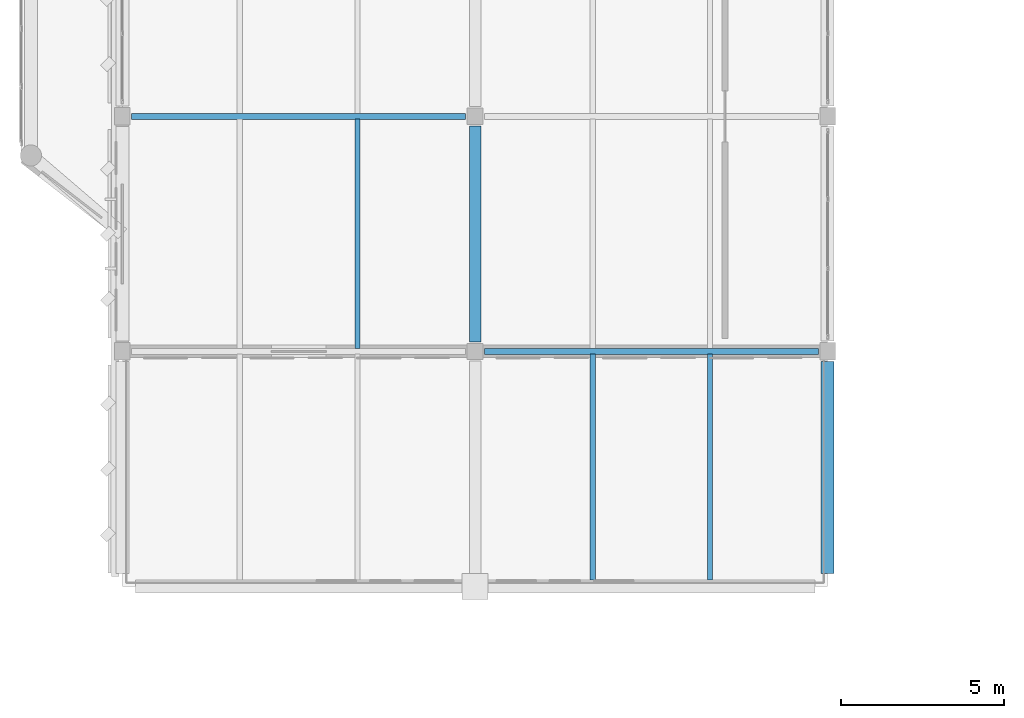
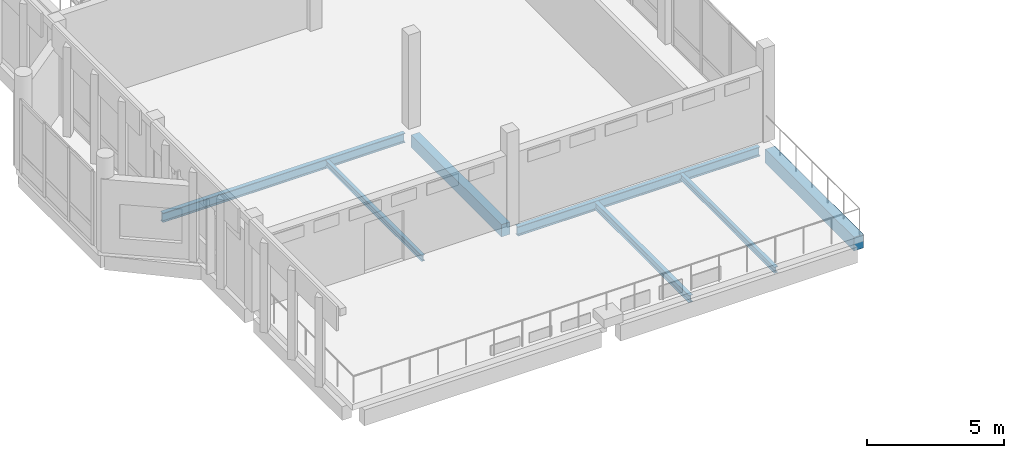
# One storey, part 5 of 72: 7 beams.
"""IFC4 building model written with IfcOpenShell, lengths in metres."""

from ifc_helpers import new_model, si_unit, direction, frame, origin, origin_2d, place, context, subcontext, project, spatial, rectangle, i_section, extrude, material, material_profile, profile_set, type_object, element, save


model = new_model("IFC4")

# Units and contexts
model_context = context("Model", 3, precision=1e-05, world=origin(), true_north=direction((0.0, 1.0)))
body_context = subcontext(model_context, "Body", "Model", "MODEL_VIEW")
ifc_project = project(units=[si_unit("LENGTHUNIT", "METRE"), si_unit("AREAUNIT", "SQUARE_METRE"), si_unit("VOLUMEUNIT", "CUBIC_METRE"), si_unit("PLANEANGLEUNIT", "RADIAN"), si_unit("MASSUNIT", "GRAM", prefix="KILO")], contexts=[model_context])

# Site, building, storey
site_placement = place(None, origin())
site = spatial("IfcSite", under=ifc_project, at=site_placement, CompositionType="ELEMENT")
building_placement = place(site_placement, origin())
building = spatial("IfcBuilding", under=site, at=building_placement, Name="Lusvemor Sports Hall", CompositionType="ELEMENT")
storey_placement = place(building_placement, frame((0.0, 0.0, 15.0)))
storey = spatial("IfcBuildingStorey", under=building, at=storey_placement, Name="L03", CompositionType="ELEMENT", Elevation=15.0)

# Beams
ifc_material_1 = material(Name="Concrete C40/50", Category="concrete")
ifc_material_profile_1 = material_profile(ifc_material_1, rectangle(XDim=0.35009765625, YDim=0.550048828125, at=origin_2d()), Name="RC350x550")
ifc_profile_set_1 = profile_set([ifc_material_profile_1], Name="Concrete C40/50")
beam_type_1 = type_object("IfcBeamType", Name="BEAM_RC_550", PredefinedType="BEAM", material=ifc_profile_set_1)
beam_1_placement = place(storey_placement, frame((10.800048828125, 54.2958984375, -0.514892578125), z_axis=(0.0, 1.0, 0.0), x_axis=(-1.0, 0.0, 0.0)))
element("IfcBeam", 1, at=beam_1_placement, inside=storey, type_object=beam_type_1, Name="Beam L03 2:G-H", PredefinedType="BEAM", context=body_context, shape_type="SweptSolid", body=[
    extrude(rectangle(XDim=0.35009765625, YDim=0.550048828125, at=origin_2d()), origin(), (0.0, 0.0, 1.0), 6.608154296875),
])
ifc_material_2 = material(Name="Steel S355", Category="steel")
ifc_material_profile_2 = material_profile(ifc_material_2, i_section(OverallWidth=0.180908203125, OverallDepth=0.4169921875, WebThickness=0.010986328125, FlangeThickness=0.018310546875, FilletRadius=0.01611328125, at=origin_2d()), Name="W410x85.0")
ifc_profile_set_2 = profile_set([ifc_material_profile_2], Name="Steel S355")
beam_type_2 = type_object("IfcBeamType", Name="BEAM_ST_410H", PredefinedType="BEAM", material=ifc_profile_set_2)
for number, where, z_axis, x_axis, name in (
    (2, (11.095947265625, 54.0, -0.482421875), (1.0, 0.0, 0.0), (0.0, 1.0, 0.0), "Beam L03 G:2-3"),
    (3, (0.27587890625, 61.199951171875, -0.452392578125), (1.0, 0.0, 0.0), (0.0, 1.0, 0.0), "Beam L03 H:1-2"),
):
    element("IfcBeam", number, at=place(storey_placement, frame(where, z_axis=z_axis, x_axis=x_axis)), inside=storey, type_object=beam_type_2, Name=name, PredefinedType="BEAM", context=body_context, shape_type="SweptSolid", body=[
        extrude(i_section(OverallWidth=0.180908203125, OverallDepth=0.4169921875, WebThickness=0.010986328125, FlangeThickness=0.018310546875, FilletRadius=0.01611328125, at=origin_2d()), origin(), (0.0, 0.0, 1.0), 10.22802734375),
    ])
ifc_material_3 = material(Name="Steel S355", Category="steel")
ifc_material_profile_3 = material_profile(ifc_material_3, i_section(OverallWidth=0.14794921875, OverallDepth=0.26611328125, WebThickness=0.007568359375, FlangeThickness=0.012939453125, FilletRadius=0.012939453125, at=origin_2d()), Name="W250x44.8")
ifc_profile_set_3 = profile_set([ifc_material_profile_3], Name="Steel S355")
beam_type_3 = type_object("IfcBeamType", Name="JOIST_ST_250M", PredefinedType="JOIST", material=ifc_profile_set_3)
beam_2_placement = place(storey_placement, frame((7.199951171875, 54.08642578125, -0.406982421875), z_axis=(0.0, 1.0, 0.0), x_axis=(-1.0, 0.0, 0.0)))
element("IfcBeam", 4, at=beam_2_placement, inside=storey, type_object=beam_type_3, Name="Secondary Joist L03 1-2/G-H #2", PredefinedType="JOIST", context=body_context, shape_type="SweptSolid", body=[
    extrude(i_section(OverallWidth=0.14794921875, OverallDepth=0.26611328125, WebThickness=0.007568359375, FlangeThickness=0.012939453125, FilletRadius=0.012939453125, at=origin_2d()), origin(), (0.0, 0.0, 1.0), 7.027099609375),
])
beam_3_placement = place(storey_placement, frame((18.0, 46.99609375, -0.406982421875), z_axis=(0.0, 1.0, 0.0), x_axis=(-1.0, 0.0, 0.0)))
element("IfcBeam", 5, at=beam_3_placement, inside=storey, type_object=beam_type_3, Name="Secondary Joist L03 2-3/F-G #2", PredefinedType="JOIST", context=body_context, shape_type="SweptSolid", body=[
    extrude(i_section(OverallWidth=0.14794921875, OverallDepth=0.26611328125, WebThickness=0.007568359375, FlangeThickness=0.012939453125, FilletRadius=0.012939453125, at=origin_2d()), origin(), (0.0, 0.0, 1.0), 6.91748046875),
])
ifc_material_4 = material(Name="Steel S355", Category="steel")
ifc_material_profile_4 = material_profile(ifc_material_4, i_section(OverallWidth=0.1669921875, OverallDepth=0.31689453125, WebThickness=0.007568359375, FlangeThickness=0.01318359375, FilletRadius=0.014892578125, at=origin_2d()), Name="W310x52.0")
ifc_profile_set_4 = profile_set([ifc_material_profile_4], Name="Steel S355")
beam_type_4 = type_object("IfcBeamType", Name="JOIST_ST_310M", PredefinedType="JOIST", material=ifc_profile_set_4)
beam_4_placement = place(storey_placement, frame((14.39990234375, 46.99609375, -0.4326171875), z_axis=(0.0, 1.0, 0.0), x_axis=(-1.0, 0.0, 0.0)))
element("IfcBeam", 6, at=beam_4_placement, inside=storey, type_object=beam_type_4, Name="Secondary Joist L03 2-3/F-G #1", PredefinedType="JOIST", context=body_context, shape_type="SweptSolid", body=[
    extrude(i_section(OverallWidth=0.1669921875, OverallDepth=0.31689453125, WebThickness=0.007568359375, FlangeThickness=0.01318359375, FilletRadius=0.014892578125, at=origin_2d()), origin(), (0.0, 0.0, 1.0), 6.91748046875),
])
ifc_material_5 = material(Name="Concrete C40/50", Category="concrete")
ifc_material_profile_5 = material_profile(ifc_material_5, rectangle(XDim=0.39990234375, YDim=0.610107421875, at=origin_2d()), Name="RC400x610")
ifc_profile_set_5 = profile_set([ifc_material_profile_5], Name="Concrete C40/50")
beam_type_5 = type_object("IfcBeamType", Name="SPAND_EXT_650", PredefinedType="SPANDREL", material=ifc_profile_set_5)
beam_5_placement = place(storey_placement, frame((21.60009765625, 47.196044921875, -0.574951171875), z_axis=(0.0, 1.0, 0.0), x_axis=(-1.0, 0.0, 0.0)))
element("IfcBeam", 7, at=beam_5_placement, inside=storey, type_object=beam_type_5, Name="Beam L03 3:F-G", PredefinedType="SPANDREL", context=body_context, shape_type="SweptSolid", body=[
    extrude(rectangle(XDim=0.39990234375, YDim=0.610107421875, at=origin_2d()), origin(), (0.0, 0.0, 1.0), 6.488037109375),
])

save(model, "model.ifc")
